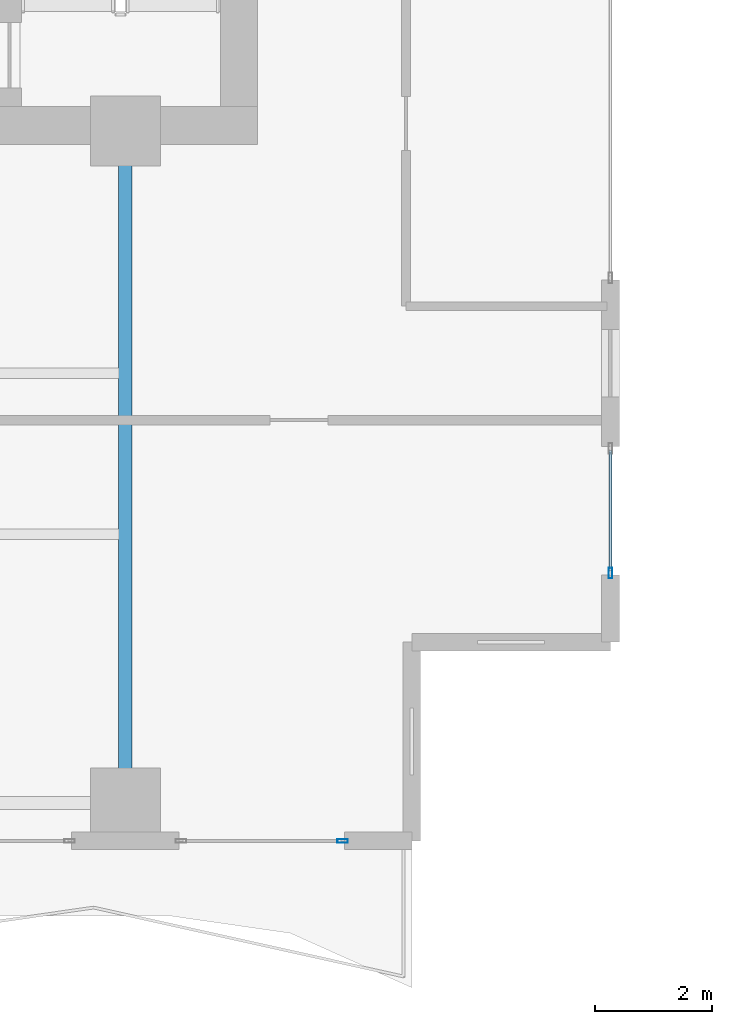
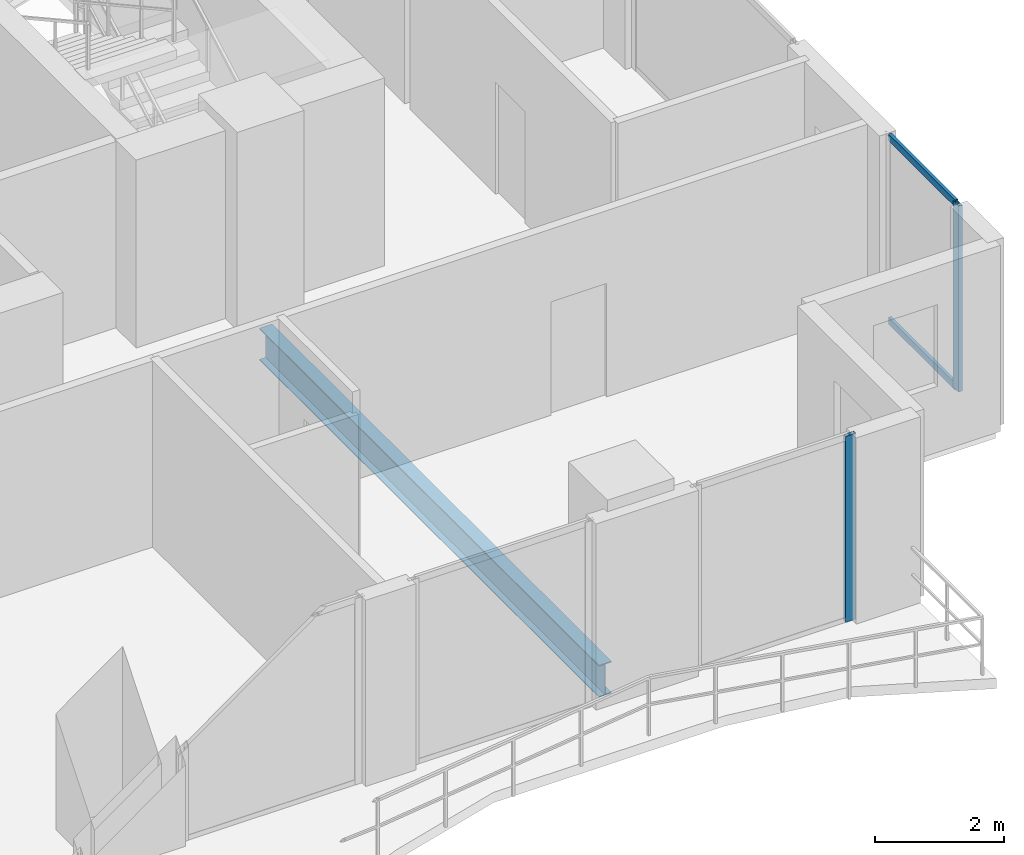
# One storey, part 10 of 33: 4 members, 1 beam, 2 elements without a shape of their own.
"""IFC4 building model written with IfcOpenShell, lengths in metres."""

from ifc_helpers import new_model, si_unit, direction, frame, origin, origin_2d, place, context, subcontext, project, spatial, hollow_rectangle, i_section, extrude, material, layer, layer_set, material_profile, profile_set, type_object, element, aggregate, save


model = new_model("IFC4")

# Units and contexts
model_context = context("Model", 3, precision=1e-05, world=origin(), true_north=direction((0.0, 1.0)))
body_context = subcontext(model_context, "Body", "Model", "MODEL_VIEW")
ifc_project = project(units=[si_unit("LENGTHUNIT", "METRE"), si_unit("AREAUNIT", "SQUARE_METRE"), si_unit("VOLUMEUNIT", "CUBIC_METRE"), si_unit("PLANEANGLEUNIT", "RADIAN"), si_unit("MASSUNIT", "GRAM", prefix="KILO")], contexts=[model_context])

# Site, building, storey
site_placement = place(None, origin())
site = spatial("IfcSite", under=ifc_project, at=site_placement, CompositionType="ELEMENT")
building_placement = place(site_placement, origin())
building = spatial("IfcBuilding", under=site, at=building_placement, Name="Zuhayl Quay Hotel", CompositionType="ELEMENT")
storey_placement = place(building_placement, frame((0.0, 0.0, 222.39990234375)))
storey = spatial("IfcBuildingStorey", under=building, at=storey_placement, Name="L56", CompositionType="ELEMENT", Elevation=222.39990234375)

# Beam
ifc_material_1 = material(Name="Steel ASTM A992 Grade 50", Category="steel")
ifc_material_profile_1 = material_profile(ifc_material_1, i_section(OverallWidth=0.22802734375, OverallDepth=0.60693359375, WebThickness=0.01123046875, FlangeThickness=0.017333984375, at=origin_2d()), Name="W24X76")
ifc_profile_set_1 = profile_set([ifc_material_profile_1], Name="Steel ASTM A992 Grade 50")
beam_type = type_object("IfcBeamType", Name="BM_B3_W24X76", PredefinedType="BEAM", material=ifc_profile_set_1)
beam_placement = place(storey_placement, frame((13.800048828125, -6.449951171875, -0.5234375), z_axis=(0.0, 1.0, 0.0), x_axis=(-1.0, 0.0, 0.0)))
element("IfcBeam", 1, at=beam_placement, inside=storey, type_object=beam_type, Name="L56 Floor Beam FG_S_L56_4", PredefinedType="BEAM", context=body_context, shape_type="SweptSolid", body=[
    extrude(i_section(OverallWidth=0.22802734375, OverallDepth=0.60693359375, WebThickness=0.01123046875, FlangeThickness=0.017333984375, at=origin_2d()), origin(), (0.0, 0.0, 1.0), 10.550048828125),
])

# Curtain wall, member
ifc_material_2 = material(Name="Anodised Aluminium 6063-T6", Category="aluminium")
ifc_layer = layer(ifc_material_2, 0.175048828125, Name="Anodised Aluminium 6063-T6", Category="aluminium")
ifc_layer_set = layer_set([ifc_layer], Name="Anodised Aluminium 6063-T6")
curtain_wall_type = type_object("IfcCurtainWallType", Name="CW_SYS_Z3", PredefinedType="USERDEFINED", material=ifc_layer_set)
curtain_wall_1_placement = place(storey_placement, origin())
curtain_wall_1 = element("IfcCurtainWall", 2, at=curtain_wall_1_placement, inside=storey, type_object=curtain_wall_type, Name="L56 Curtain Wall ENV_L56_E14_CW2", ObjectType="UNITISED CURTAIN WALL", PredefinedType="USERDEFINED")
ifc_material_3 = material(Name="Black-anodised aluminium 6063-T6", Category="aluminium")
ifc_material_profile_2 = material_profile(ifc_material_3, hollow_rectangle(XDim=0.06494140625, YDim=0.179931640625, WallThickness=0.00341796875, at=origin_2d()), Name="ALU180X65")
ifc_profile_set_2 = profile_set([ifc_material_profile_2], Name="Black-anodised aluminium 6063-T6")
member_type_1 = type_object("IfcMemberType", Name="MB_CW_MUL_180", PredefinedType="MULLION", material=ifc_profile_set_2)
member_1_placement = place(storey_placement, frame((22.10009765625, -3.017578125, 0.0), z_axis=(0.0, 0.0, 1.0), x_axis=(1.0, 0.0, 0.0)))
member_1 = element("IfcMember", 3, at=member_1_placement, type_object=member_type_1, Name="CW-Z3 mullion 2", PredefinedType="MULLION", context=body_context, shape_type="SweptSolid", body=[
    extrude(hollow_rectangle(XDim=0.06494140625, YDim=0.179931640625, WallThickness=0.00341796875, at=origin_2d()), origin(), (0.0, 0.0, 1.0), 3.530029296875),
])

curtain_wall_2_placement = place(storey_placement, origin())
curtain_wall_2 = element("IfcCurtainWall", 4, at=curtain_wall_2_placement, inside=storey, type_object=curtain_wall_type, Name="L56 Curtain Wall ENV_L56_S_CW1", ObjectType="UNITISED CURTAIN WALL", PredefinedType="USERDEFINED")
member_2_placement = place(storey_placement, frame((17.517578125, -7.60009765625, 0.0), z_axis=(0.0, 0.0, 1.0), x_axis=(0.0, -1.0, 0.0)))
member_2 = element("IfcMember", 5, at=member_2_placement, type_object=member_type_1, Name="CW-Z3 mullion 1", PredefinedType="MULLION", context=body_context, shape_type="SweptSolid", body=[
    extrude(hollow_rectangle(XDim=0.06494140625, YDim=0.179931640625, WallThickness=0.00341796875, at=origin_2d()), origin(), (0.0, 0.0, 1.0), 3.530029296875),
])
aggregate(curtain_wall_2, [member_2])

# Member
ifc_material_profile_3 = material_profile(ifc_material_3, hollow_rectangle(XDim=0.054931640625, YDim=0.1298828125, WallThickness=0.0029296875, at=origin_2d()), Name="ALU130X55")
ifc_profile_set_3 = profile_set([ifc_material_profile_3], Name="Black-anodised aluminium 6063-T6")
member_type_2 = type_object("IfcMemberType", Name="MB_CW_TRN_130", PredefinedType="USERDEFINED", material=ifc_profile_set_3)
member_3_placement = place(storey_placement, frame((22.10009765625, -0.9150390625, 0.027587890625), z_axis=(0.0, -1.0, 0.0), x_axis=(1.0, 0.0, 0.0)))
member_3 = element("IfcMember", 6, at=member_3_placement, type_object=member_type_2, Name="CW-Z3 transom 1.1", ObjectType="TRANSOM", PredefinedType="USERDEFINED", context=body_context, shape_type="SweptSolid", body=[
    extrude(hollow_rectangle(XDim=0.054931640625, YDim=0.1298828125, WallThickness=0.0029296875, at=origin_2d()), origin(), (0.0, 0.0, 1.0), 2.070068359375),
])

member_4_placement = place(storey_placement, frame((22.10009765625, -0.9150390625, 3.502685546875), z_axis=(0.0, -1.0, 0.0), x_axis=(1.0, 0.0, 0.0)))
member_4 = element("IfcMember", 7, at=member_4_placement, type_object=member_type_2, Name="CW-Z3 transom 1.2", ObjectType="TRANSOM", PredefinedType="USERDEFINED", context=body_context, shape_type="SweptSolid", body=[
    extrude(hollow_rectangle(XDim=0.054931640625, YDim=0.1298828125, WallThickness=0.0029296875, at=origin_2d()), origin(), (0.0, 0.0, 1.0), 2.070068359375),
])

aggregate(curtain_wall_1, [member_1, member_3, member_4])

save(model, "model.ifc")
